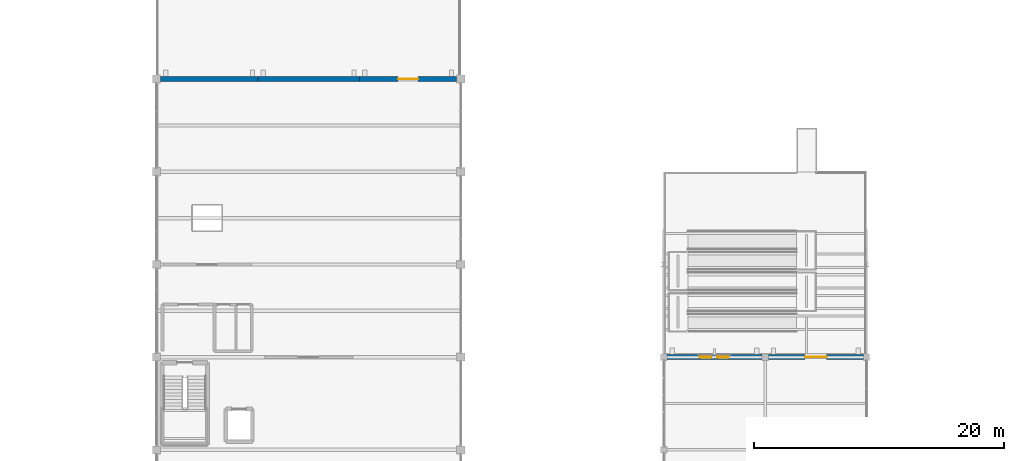
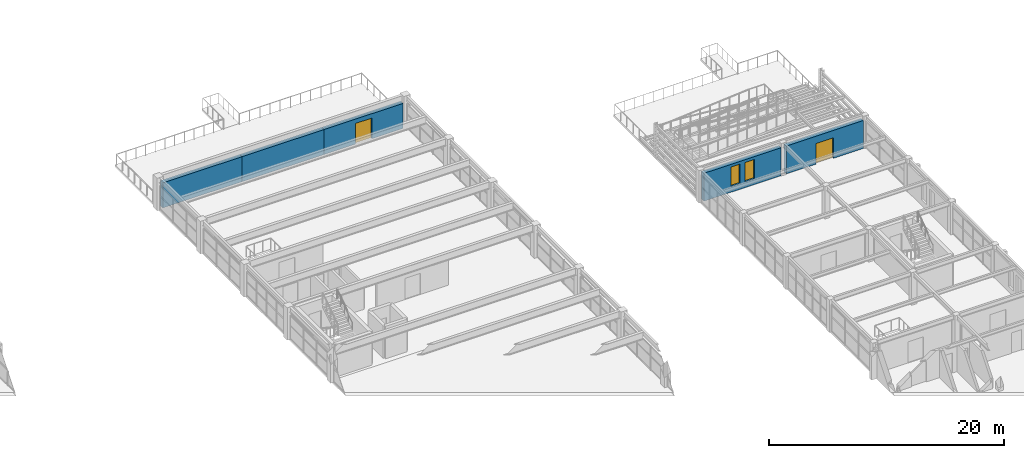
# One storey, part 83 of 93: 5 walls, 2 doors, 2 windows, 4 openings.
"""IFC4 building model written with IfcOpenShell, lengths in metres."""

from ifc_helpers import new_model, si_unit, direction, frame, frame_2d, origin, place, context, subcontext, project, spatial, rectangle, extrude, material, layer, layer_set, type_object, element, fill, save


model = new_model("IFC4")

# Units and contexts
model_context = context("Model", 3, precision=1e-05, world=origin(), true_north=direction((0.0, 1.0)))
body_context = subcontext(model_context, "Body", "Model", "MODEL_VIEW")
ifc_project = project(units=[si_unit("LENGTHUNIT", "METRE"), si_unit("AREAUNIT", "SQUARE_METRE"), si_unit("VOLUMEUNIT", "CUBIC_METRE"), si_unit("PLANEANGLEUNIT", "RADIAN"), si_unit("MASSUNIT", "GRAM", prefix="KILO")], contexts=[model_context])

# Site, building, storey
site_placement = place(None, origin())
site = spatial("IfcSite", under=ifc_project, at=site_placement, CompositionType="ELEMENT")
building_placement = place(site_placement, origin())
building = spatial("IfcBuilding", under=site, at=building_placement, Name="Cimatlan Art Gallery", CompositionType="ELEMENT")
storey_placement = place(building_placement, frame((0.0, 0.0, 13.800048828125)))
storey = spatial("IfcBuildingStorey", under=building, at=storey_placement, Name="L03", CompositionType="ELEMENT", Elevation=13.800048828125)

# Walls
ifc_material_1 = material(Name="Precast concrete C40/50", Category="concrete")
ifc_layer = layer(ifc_material_1, 0.39990234375)
ifc_layer_set = layer_set([ifc_layer], Name="Precast concrete C40/50")
wall_type = type_object("IfcWallType", Name="WL-EXT-CAN-400", PredefinedType="SOLIDWALL", material=ifc_layer_set)
wall_1_placement = place(storey_placement, frame((75.22900390625, 90.5, 0.0), z_axis=(0.0, 0.0, 1.0), x_axis=(1.0, 0.0, 0.0)))
element("IfcWall", 1, at=wall_1_placement, inside=storey, type_object=wall_type, Name="WL-EXT-L03-09-11-N", PredefinedType="SOLIDWALL", context=body_context, shape_type="SweptSolid", body=[
    extrude(rectangle(XDim=7.76708984375, YDim=0.39990234375, at=frame_2d((3.883544921875, 0.0))), origin(), (0.0, 0.0, 1.0), 2.60302734375),
])
wall_2_placement = place(storey_placement, frame((83.00390625, 90.5, 0.0), z_axis=(0.0, 0.0, 1.0), x_axis=(1.0, 0.0, 0.0)))
element("IfcWall", 2, at=wall_2_placement, inside=storey, type_object=wall_type, Name="WL-EXT-L03-10-11-N", PredefinedType="SOLIDWALL", context=body_context, shape_type="SweptSolid", body=[
    extrude(rectangle(XDim=8.092041015625, YDim=0.39990234375, at=frame_2d((4.0458984375, 0.0))), origin(), (0.0, 0.0, 1.0), 2.60302734375),
])

# Wall, opening, door
wall_3_placement = place(storey_placement, frame((91.10400390625, 90.5, 0.0), z_axis=(0.0, 0.0, 1.0), x_axis=(1.0, 0.0, 0.0)))
wall_3 = element("IfcWall", 3, at=wall_3_placement, inside=storey, type_object=wall_type, Name="WL-EXT-L03-11-11-N", PredefinedType="SOLIDWALL", context=body_context, shape_type="SweptSolid", body=[
    extrude(rectangle(XDim=7.76708984375, YDim=0.39990234375, at=frame_2d((3.883544921875, 0.0))), origin(), (0.0, 0.0, 1.0), 2.60302734375),
])
opening_1_placement = place(wall_3_placement, frame((3.08349609375, 0.0, 0.0)))
opening_1 = element("IfcOpeningElement", 4, at=opening_1_placement, cuts=wall_3, Name="Opening D-L03-T13", PredefinedType="OPENING", context=body_context, shape_type="SweptSolid", body=[
    extrude(rectangle(XDim=1.60009765625, YDim=2.14990234375, at=frame_2d((0.800048828125, 1.074951171875))), frame((0.0, 0.2099609375, 0.0), z_axis=(0.0, -1.0, 0.0), x_axis=(1.0, 0.0, 0.0)), (0.0, 0.0, 1.0), 0.419921875),
])
ifc_material_2 = material(Name="Anodised bronze and laminated safety glass door", Category="glass")
door_type_1 = type_object("IfcDoorType", Name="DE-TR-1600", OperationType="NOTDEFINED", PredefinedType="DOOR", material=ifc_material_2)
door_1_placement = place(opening_1_placement, origin())
door_1 = element("IfcDoor", 5, at=door_1_placement, inside=storey, type_object=door_type_1, Name="D-L03-T13", OperationType="SINGLE_SWING_LEFT", OverallHeight=2.14990234375, OverallWidth=1.60009765625, PredefinedType="DOOR", context=body_context, shape_type="SweptSolid", body=[
    extrude(rectangle(XDim=1.60009765625, YDim=2.14990234375, at=frame_2d((0.800048828125, 1.074951171875))), frame((0.0, 0.02490234375, 0.0), z_axis=(0.0, -1.0, 0.0), x_axis=(1.0, 0.0, 0.0)), (0.0, 0.0, 1.0), 0.050048828125),
])
fill(opening_1, door_1)

# Wall, openings, windows
wall_4_placement = place(storey_placement, frame((115.654052734375, 68.300048828125, 0.0), z_axis=(0.0, 0.0, 1.0), x_axis=(1.0, 0.0, 0.0)))
wall_4 = element("IfcWall", 6, at=wall_4_placement, inside=storey, type_object=wall_type, Name="WL-EXT-L03-14-08-N", PredefinedType="SOLIDWALL", context=body_context, shape_type="SweptSolid", body=[
    extrude(rectangle(XDim=7.592041015625, YDim=0.39990234375, at=frame_2d((3.7958984375, 0.0))), origin(), (0.0, 0.0, 1.0), 2.907958984375),
])
opening_2_placement = place(wall_4_placement, frame((2.635986328125, 0.0, 0.60009765625)))
opening_2 = element("IfcOpeningElement", 7, at=opening_2_placement, cuts=wall_4, Name="Opening WN-0269", PredefinedType="OPENING", context=body_context, shape_type="SweptSolid", body=[
    extrude(rectangle(XDim=0.919921875, YDim=2.02001953125, at=frame_2d((0.4599609375, 1.010009765625))), frame((0.0, 0.2099609375, 0.0), z_axis=(0.0, -1.0, 0.0), x_axis=(1.0, 0.0, 0.0)), (0.0, 0.0, 1.0), 0.419921875),
])
opening_3_placement = place(wall_4_placement, frame((4.035888671875, 0.0, 0.60009765625)))
opening_3 = element("IfcOpeningElement", 8, at=opening_3_placement, cuts=wall_4, Name="Opening WN-0270", PredefinedType="OPENING", context=body_context, shape_type="SweptSolid", body=[
    extrude(rectangle(XDim=0.919921875, YDim=2.02001953125, at=frame_2d((0.4599609375, 1.010009765625))), frame((0.0, 0.2099609375, 0.0), z_axis=(0.0, -1.0, 0.0), x_axis=(1.0, 0.0, 0.0)), (0.0, 0.0, 1.0), 0.419921875),
])
ifc_material_3 = material(Name="Low-E laminated double glazing in bronze lancet frame", Category="glass")
window_type = type_object("IfcWindowType", Name="WIN-N-L03-0920X2020", PartitioningType="SINGLE_PANEL", PredefinedType="WINDOW", material=ifc_material_3)
window_1_placement = place(opening_2_placement, origin())
window_1 = element("IfcWindow", 9, at=window_1_placement, inside=storey, type_object=window_type, Name="WIN-0269", OverallHeight=2.02001953125, OverallWidth=0.919921875, PartitioningType="SINGLE_PANEL", PredefinedType="WINDOW", context=body_context, shape_type="SweptSolid", body=[
    extrude(rectangle(XDim=0.919921875, YDim=2.02001953125, at=frame_2d((0.4599609375, 1.010009765625))), frame((0.0, 0.030029296875, 0.0), z_axis=(0.0, -1.0, 0.0), x_axis=(1.0, 0.0, 0.0)), (0.0, 0.0, 1.0), 0.06005859375),
])
fill(opening_2, window_1)
window_2_placement = place(opening_3_placement, origin())
window_2 = element("IfcWindow", 10, at=window_2_placement, inside=storey, type_object=window_type, Name="WIN-0270", OverallHeight=2.02001953125, OverallWidth=0.919921875, PartitioningType="SINGLE_PANEL", PredefinedType="WINDOW", context=body_context, shape_type="SweptSolid", body=[
    extrude(rectangle(XDim=0.919921875, YDim=2.02001953125, at=frame_2d((0.4599609375, 1.010009765625))), frame((0.0, 0.030029296875, 0.0), z_axis=(0.0, -1.0, 0.0), x_axis=(1.0, 0.0, 0.0)), (0.0, 0.0, 1.0), 0.06005859375),
])
fill(opening_3, window_2)

# Wall, opening, door
wall_5_placement = place(storey_placement, frame((123.75390625, 68.300048828125, 0.0), z_axis=(0.0, 0.0, 1.0), x_axis=(1.0, 0.0, 0.0)))
wall_5 = element("IfcWall", 11, at=wall_5_placement, inside=storey, type_object=wall_type, Name="WL-EXT-L03-15-08-N", PredefinedType="SOLIDWALL", context=body_context, shape_type="SweptSolid", body=[
    extrude(rectangle(XDim=7.592041015625, YDim=0.39990234375, at=frame_2d((3.7958984375, 0.0))), origin(), (0.0, 0.0, 1.0), 2.907958984375),
])
opening_4_placement = place(wall_5_placement, frame((2.946044921875, 0.0, 0.0)))
opening_4 = element("IfcOpeningElement", 12, at=opening_4_placement, cuts=wall_5, Name="Opening D-L03-T14", PredefinedType="OPENING", context=body_context, shape_type="SweptSolid", body=[
    extrude(rectangle(XDim=1.699951171875, YDim=2.14990234375, at=frame_2d((0.85009765625, 1.074951171875))), frame((0.0, 0.2099609375, 0.0), z_axis=(0.0, -1.0, 0.0), x_axis=(1.0, 0.0, 0.0)), (0.0, 0.0, 1.0), 0.419921875),
])
door_type_2 = type_object("IfcDoorType", Name="DE-TR-1700", OperationType="NOTDEFINED", PredefinedType="DOOR", material=ifc_material_2)
door_2_placement = place(opening_4_placement, origin())
door_2 = element("IfcDoor", 13, at=door_2_placement, inside=storey, type_object=door_type_2, Name="D-L03-T14", OperationType="SINGLE_SWING_RIGHT", OverallHeight=2.14990234375, OverallWidth=1.699951171875, PredefinedType="DOOR", context=body_context, shape_type="SweptSolid", body=[
    extrude(rectangle(XDim=1.699951171875, YDim=2.14990234375, at=frame_2d((0.85009765625, 1.074951171875))), frame((0.0, 0.02490234375, 0.0), z_axis=(0.0, -1.0, 0.0), x_axis=(1.0, 0.0, 0.0)), (0.0, 0.0, 1.0), 0.050048828125),
])
fill(opening_4, door_2)

save(model, "model.ifc")
